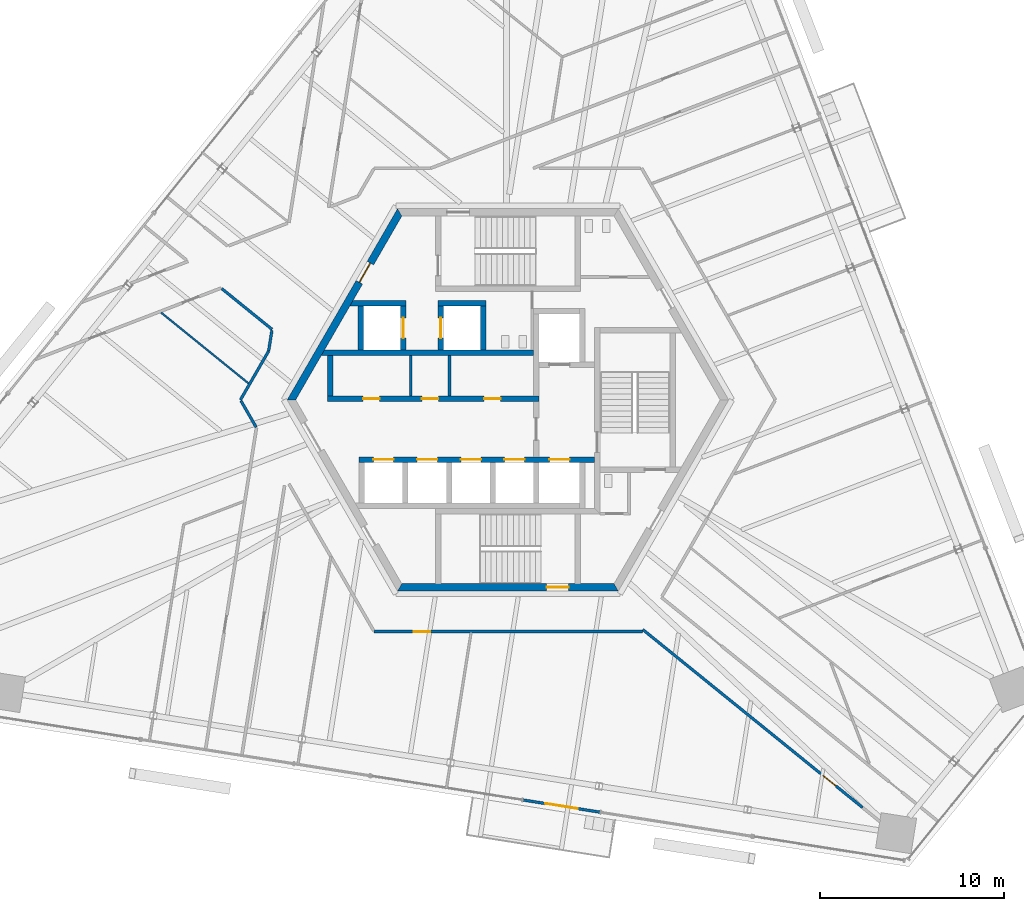
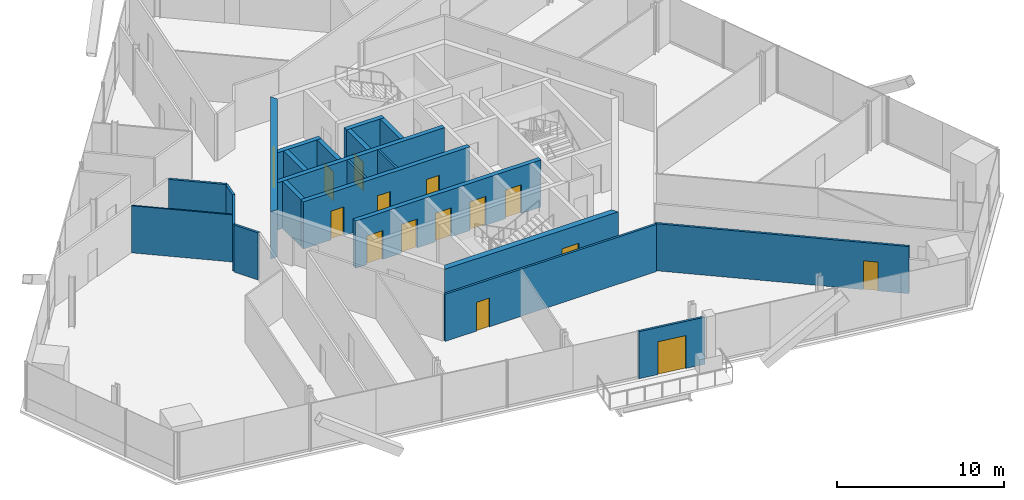
# One storey, part 12 of 19: 22 walls, 15 doors, 15 openings.
"""IFC4 building model written with IfcOpenShell, lengths in metres."""

from ifc_helpers import new_model, si_unit, direction, frame, frame_2d, origin, place, context, subcontext, project, spatial, polyline, rectangle, outline, extrude, source, transform, mapped, material, layer, layer_set, type_object, element, fill, save


model = new_model("IFC4")

# Units and contexts
model_context = context("Model", 3, precision=1e-05, world=origin(), true_north=direction((0.0, 1.0)))
body_context = subcontext(model_context, "Body", "Model", "MODEL_VIEW")
ifc_project = project(units=[si_unit("LENGTHUNIT", "METRE"), si_unit("AREAUNIT", "SQUARE_METRE"), si_unit("VOLUMEUNIT", "CUBIC_METRE"), si_unit("PLANEANGLEUNIT", "RADIAN"), si_unit("MASSUNIT", "GRAM", prefix="KILO")], contexts=[model_context])

# Site, building, storey
site_placement = place(None, origin())
site = spatial("IfcSite", under=ifc_project, at=site_placement, CompositionType="ELEMENT")
building_placement = place(site_placement, origin())
building = spatial("IfcBuilding", under=site, at=building_placement, Name="Triune Harvest Tower", CompositionType="ELEMENT")
storey_placement = place(building_placement, frame((0.0, 0.0, 164.10009765625)))
storey = spatial("IfcBuildingStorey", under=building, at=storey_placement, Name="L42", CompositionType="ELEMENT", Elevation=164.10009765625)

# Wall
ifc_material_1 = material(Name="Gypsum board on steel studs", Category="steel")
ifc_layer_1 = layer(ifc_material_1, 0.14990234375)
ifc_layer_set_1 = layer_set([ifc_layer_1], Name="Gypsum board on steel studs")
wall_type_1 = type_object("IfcWallType", Name="Fire Partition 150 mm", PredefinedType="PARTITIONING", material=ifc_layer_set_1)
wall_1_placement = place(storey_placement, frame((-15.552001953125, 6.04736328125, 0.0), z_axis=(0.0, 0.0, 1.0), x_axis=(0.777134872151, -0.629334084955, 0.0)))
element("IfcWall", 1, at=wall_1_placement, inside=storey, type_object=wall_type_1, Name="Partition L42 007", PredefinedType="PARTITIONING", context=body_context, shape_type="SweptSolid", body=[
    extrude(rectangle(XDim=3.51513671875, YDim=0.14990234375, at=frame_2d((1.757568359375, 0.0))), origin(), (0.0, 0.0, 1.0), 3.43994140625),
])

# Wall, opening, door
ifc_material_2 = material(Name="Concrete 70 MPa", Category="concrete")
ifc_layer_2 = layer(ifc_material_2, 0.39990234375)
ifc_layer_set_2 = layer_set([ifc_layer_2], Name="Concrete 70 MPa")
wall_type_2 = type_object("IfcWallType", Name="Core wall 400", PredefinedType="SHEAR", material=ifc_layer_set_2)
shared_shape_1 = source(origin(), body_context, "Body", "SweptSolid", [
    extrude(outline(polyline([(-0.115478515625, -0.199951171875), (11.884521484375, -0.199951171875), (11.653564453125, 0.199951171875), (0.115478515625, 0.199951171875), (-0.115478515625, -0.199951171875)])), origin(), (0.0, 0.0, 1.0), 3.43994140625),
])
wall_2_placement = place(storey_placement, frame((-5.884521484375, 10.1923828125, 0.0), z_axis=(0.0, 0.0, 1.0), x_axis=(-0.499996592174, -0.866027371285, 0.0)))
wall_2 = element("IfcWall", 2, at=wall_2_placement, inside=storey, type_object=wall_type_2, Name="Hexagon 2 wall", PredefinedType="SHEAR", context=body_context, shape_type="MappedRepresentation", body=[
    mapped(shared_shape_1, transform((0.0, 0.0, 0.0), scale=1.0)),
])
opening_1_placement = place(wall_2_placement, frame((3.1845703125, 0.0, 0.0)))
opening_1 = element("IfcOpeningElement", 3, at=opening_1_placement, cuts=wall_2, Name="Opening CD-SVP", PredefinedType="OPENING", context=body_context, shape_type="SweptSolid", body=[
    extrude(rectangle(XDim=1.199951171875, YDim=2.10009765625, at=frame_2d((0.60009765625, 1.050048828125))), frame((0.0, 0.2099609375, 0.0), z_axis=(0.0, -1.0, 0.0), x_axis=(1.0, 0.0, 0.0)), (0.0, 0.0, 1.0), 0.419921875),
])
ifc_material_3 = material(Name="Steel S235", Category="steel")
door_type_1 = type_object("IfcDoorType", Name="Service door 1200 FD120", OperationType="SINGLE_SWING_LEFT", PredefinedType="DOOR", material=ifc_material_3)
door_1_placement = place(opening_1_placement, frame((1.199951171875, 0.0, 0.0), z_axis=(0.0, 0.0, 1.0), x_axis=(-1.0, 0.0, 0.0)))
door_1 = element("IfcDoor", 4, at=door_1_placement, inside=storey, type_object=door_type_1, Name="Door CD-SVP", OperationType="SINGLE_SWING_RIGHT", OverallHeight=2.10009765625, OverallWidth=1.199951171875, PredefinedType="DOOR", context=body_context, shape_type="SweptSolid", body=[
    extrude(rectangle(XDim=1.199951171875, YDim=2.10009765625, at=frame_2d((0.60009765625, 1.050048828125))), frame((0.0, 0.02490234375, 0.0), z_axis=(0.0, -1.0, 0.0), x_axis=(1.0, 0.0, 0.0)), (0.0, 0.0, 1.0), 0.050048828125),
])
fill(opening_1, door_1)

wall_3_placement = place(storey_placement, frame((-5.884521484375, -10.1923828125, 0.0), z_axis=(0.0, 0.0, 1.0), x_axis=(1.0, 0.0, 0.0)))
wall_3 = element("IfcWall", 5, at=wall_3_placement, inside=storey, type_object=wall_type_2, Name="Hexagon 4 wall", PredefinedType="SHEAR", context=body_context, shape_type="MappedRepresentation", body=[
    mapped(shared_shape_1, transform((0.0, 0.0, 0.0), scale=1.0)),
])
opening_2_placement = place(wall_3_placement, frame((7.984619140625, 0.0, 0.0)))
opening_2 = element("IfcOpeningElement", 6, at=opening_2_placement, cuts=wall_3, Name="Opening CD-S2P", PredefinedType="OPENING", context=body_context, shape_type="SweptSolid", body=[
    extrude(rectangle(XDim=1.199951171875, YDim=2.10009765625, at=frame_2d((0.60009765625, 1.050048828125))), frame((0.0, 0.2099609375, 0.0), z_axis=(0.0, -1.0, 0.0), x_axis=(1.0, 0.0, 0.0)), (0.0, 0.0, 1.0), 0.419921875),
])
ifc_material_4 = material(Name="Steel S235", Category="steel")
door_type_2 = type_object("IfcDoorType", Name="Stair door 1200 FD120", OperationType="SINGLE_SWING_LEFT", PredefinedType="DOOR", material=ifc_material_4)
door_2_placement = place(opening_2_placement, frame((1.199951171875, 0.0, 0.0), z_axis=(0.0, 0.0, 1.0), x_axis=(-1.0, 0.0, 0.0)))
door_2 = element("IfcDoor", 7, at=door_2_placement, inside=storey, type_object=door_type_2, Name="Door CD-S2P", OperationType="SINGLE_SWING_RIGHT", OverallHeight=2.10009765625, OverallWidth=1.199951171875, PredefinedType="DOOR", context=body_context, shape_type="SweptSolid", body=[
    extrude(rectangle(XDim=1.199951171875, YDim=2.10009765625, at=frame_2d((0.60009765625, 1.050048828125))), frame((0.0, 0.02490234375, 0.0), z_axis=(0.0, -1.0, 0.0), x_axis=(1.0, 0.0, 0.0)), (0.0, 0.0, 1.0), 0.050048828125),
])
fill(opening_2, door_2)

# Wall, openings, doors
ifc_material_5 = material(Name="Concrete 70 MPa", Category="concrete")
ifc_layer_3 = layer(ifc_material_5, 0.300048828125)
ifc_layer_set_3 = layer_set([ifc_layer_3], Name="Concrete 70 MPa")
wall_type_3 = type_object("IfcWallType", Name="Core wall 300", PredefinedType="SHEAR", material=ifc_layer_set_3)
shared_shape_2 = source(origin(), body_context, "Body", "SweptSolid", [
    extrude(rectangle(XDim=11.5, YDim=0.300048828125, at=frame_2d((5.75, 0.0))), origin(), (0.0, 0.0, 1.0), 3.43994140625),
])
wall_4_placement = place(storey_placement, frame((-9.800048828125, 0.06005859375, 0.0), z_axis=(0.0, 0.0, 1.0), x_axis=(1.0, 0.0, 0.0)))
wall_4 = element("IfcWall", 8, at=wall_4_placement, inside=storey, type_object=wall_type_3, Name="North front wall", PredefinedType="SHEAR", context=body_context, shape_type="MappedRepresentation", body=[
    mapped(shared_shape_2, transform((0.0, 0.0, 0.0), scale=1.0)),
])
opening_3_placement = place(wall_4_placement, frame((1.922607421875, 0.0, 0.0)))
opening_3 = element("IfcOpeningElement", 9, at=opening_3_placement, cuts=wall_4, Name="Opening CD-RN1", PredefinedType="OPENING", context=body_context, shape_type="SweptSolid", body=[
    extrude(rectangle(XDim=0.89990234375, YDim=2.10009765625, at=frame_2d((0.449951171875, 1.050048828125))), frame((0.0, 0.16015625, 0.0), z_axis=(0.0, -1.0, 0.0), x_axis=(1.0, 0.0, 0.0)), (0.0, 0.0, 1.0), 0.320068359375),
])
opening_4_placement = place(wall_4_placement, frame((5.125, 0.0, 0.0)))
opening_4 = element("IfcOpeningElement", 10, at=opening_4_placement, cuts=wall_4, Name="Opening CD-RN2", PredefinedType="OPENING", context=body_context, shape_type="SweptSolid", body=[
    extrude(rectangle(XDim=0.89990234375, YDim=2.10009765625, at=frame_2d((0.449951171875, 1.050048828125))), frame((0.0, 0.16015625, 0.0), z_axis=(0.0, -1.0, 0.0), x_axis=(1.0, 0.0, 0.0)), (0.0, 0.0, 1.0), 0.320068359375),
])
opening_5_placement = place(wall_4_placement, frame((8.50244140625, 0.0, 0.0)))
opening_5 = element("IfcOpeningElement", 11, at=opening_5_placement, cuts=wall_4, Name="Opening CD-RN3", PredefinedType="OPENING", context=body_context, shape_type="SweptSolid", body=[
    extrude(rectangle(XDim=0.89990234375, YDim=2.10009765625, at=frame_2d((0.449951171875, 1.050048828125))), frame((0.0, 0.16015625, 0.0), z_axis=(0.0, -1.0, 0.0), x_axis=(1.0, 0.0, 0.0)), (0.0, 0.0, 1.0), 0.320068359375),
])
ifc_material_6 = material(Name="Steel S235", Category="steel")
door_type_3 = type_object("IfcDoorType", Name="Riser door 900 FD120", OperationType="SINGLE_SWING_LEFT", PredefinedType="DOOR", material=ifc_material_6)
door_3_placement = place(opening_3_placement, frame((0.89990234375, 0.0, 0.0), z_axis=(0.0, 0.0, 1.0), x_axis=(-1.0, 0.0, 0.0)))
door_3 = element("IfcDoor", 12, at=door_3_placement, inside=storey, type_object=door_type_3, Name="Door CD-RN1", OperationType="SINGLE_SWING_RIGHT", OverallHeight=2.10009765625, OverallWidth=0.89990234375, PredefinedType="DOOR", context=body_context, shape_type="SweptSolid", body=[
    extrude(rectangle(XDim=0.89990234375, YDim=2.10009765625, at=frame_2d((0.449951171875, 1.050048828125))), frame((0.0, 0.02490234375, 0.0), z_axis=(0.0, -1.0, 0.0), x_axis=(1.0, 0.0, 0.0)), (0.0, 0.0, 1.0), 0.050048828125),
])
fill(opening_3, door_3)
door_4_placement = place(opening_4_placement, frame((0.89990234375, 0.0, 0.0), z_axis=(0.0, 0.0, 1.0), x_axis=(-1.0, 0.0, 0.0)))
door_4 = element("IfcDoor", 13, at=door_4_placement, inside=storey, type_object=door_type_3, Name="Door CD-RN2", OperationType="SINGLE_SWING_RIGHT", OverallHeight=2.10009765625, OverallWidth=0.89990234375, PredefinedType="DOOR", context=body_context, shape_type="SweptSolid", body=[
    extrude(rectangle(XDim=0.89990234375, YDim=2.10009765625, at=frame_2d((0.449951171875, 1.050048828125))), frame((0.0, 0.02490234375, 0.0), z_axis=(0.0, -1.0, 0.0), x_axis=(1.0, 0.0, 0.0)), (0.0, 0.0, 1.0), 0.050048828125),
])
fill(opening_4, door_4)
door_5_placement = place(opening_5_placement, frame((0.89990234375, 0.0, 0.0), z_axis=(0.0, 0.0, 1.0), x_axis=(-1.0, 0.0, 0.0)))
door_5 = element("IfcDoor", 14, at=door_5_placement, inside=storey, type_object=door_type_3, Name="Door CD-RN3", OperationType="SINGLE_SWING_RIGHT", OverallHeight=2.10009765625, OverallWidth=0.89990234375, PredefinedType="DOOR", context=body_context, shape_type="SweptSolid", body=[
    extrude(rectangle(XDim=0.89990234375, YDim=2.10009765625, at=frame_2d((0.449951171875, 1.050048828125))), frame((0.0, 0.02490234375, 0.0), z_axis=(0.0, -1.0, 0.0), x_axis=(1.0, 0.0, 0.0)), (0.0, 0.0, 1.0), 0.050048828125),
])
fill(opening_5, door_5)

# Wall
shared_shape_3 = source(origin(), body_context, "Body", "SweptSolid", [
    extrude(outline(polyline([(11.199951171875, -0.14990234375), (-0.34912109375, -0.14990234375), (-0.17578125, 0.14990234375), (11.199951171875, 0.14990234375), (11.199951171875, -0.14990234375)])), origin(), (0.0, 0.0, 1.0), 3.43994140625),
])
wall_5_placement = place(storey_placement, frame((-9.800048828125, 2.56005859375, 0.0), z_axis=(0.0, 0.0, 1.0), x_axis=(1.0, 0.0, 0.0)))
element("IfcWall", 15, at=wall_5_placement, inside=storey, type_object=wall_type_3, Name="North back wall", PredefinedType="SHEAR", context=body_context, shape_type="MappedRepresentation", body=[
    mapped(shared_shape_3, transform((0.0, 0.0, 0.0), scale=1.0)),
])

# Wall, openings, doors
shared_shape_4 = source(origin(), body_context, "Body", "SweptSolid", [
    extrude(rectangle(XDim=12.800048828125, YDim=0.300048828125, at=frame_2d((6.39990234375, 0.0))), origin(), (0.0, 0.0, 1.0), 3.43994140625),
])
wall_6_placement = place(storey_placement, frame((-8.10009765625, -3.239990234375, 0.0), z_axis=(0.0, 0.0, 1.0), x_axis=(1.0, 0.0, 0.0)))
wall_6 = element("IfcWall", 16, at=wall_6_placement, inside=storey, type_object=wall_type_3, Name="South front wall", PredefinedType="SHEAR", context=body_context, shape_type="MappedRepresentation", body=[
    mapped(shared_shape_4, transform((0.0, 0.0, 0.0), scale=1.0)),
])
opening_6_placement = place(wall_6_placement, frame((0.78759765625, 0.0, 0.0)))
opening_6 = element("IfcOpeningElement", 17, at=opening_6_placement, cuts=wall_6, Name="Opening LD-HR1-42", PredefinedType="OPENING", context=body_context, shape_type="SweptSolid", body=[
    extrude(rectangle(XDim=1.10009765625, YDim=2.10009765625, at=frame_2d((0.550048828125, 1.050048828125))), frame((0.0, 0.16015625, 0.0), z_axis=(0.0, -1.0, 0.0), x_axis=(1.0, 0.0, 0.0)), (0.0, 0.0, 1.0), 0.320068359375),
])
opening_7_placement = place(wall_6_placement, frame((3.16259765625, 0.0, 0.0)))
opening_7 = element("IfcOpeningElement", 18, at=opening_7_placement, cuts=wall_6, Name="Opening LD-HR2-42", PredefinedType="OPENING", context=body_context, shape_type="SweptSolid", body=[
    extrude(rectangle(XDim=1.10009765625, YDim=2.10009765625, at=frame_2d((0.550048828125, 1.050048828125))), frame((0.0, 0.16015625, 0.0), z_axis=(0.0, -1.0, 0.0), x_axis=(1.0, 0.0, 0.0)), (0.0, 0.0, 1.0), 0.320068359375),
])
opening_8_placement = place(wall_6_placement, frame((5.53759765625, 0.0, 0.0)))
opening_8 = element("IfcOpeningElement", 19, at=opening_8_placement, cuts=wall_6, Name="Opening LD-HR3-42", PredefinedType="OPENING", context=body_context, shape_type="SweptSolid", body=[
    extrude(rectangle(XDim=1.10009765625, YDim=2.10009765625, at=frame_2d((0.550048828125, 1.050048828125))), frame((0.0, 0.16015625, 0.0), z_axis=(0.0, -1.0, 0.0), x_axis=(1.0, 0.0, 0.0)), (0.0, 0.0, 1.0), 0.320068359375),
])
opening_9_placement = place(wall_6_placement, frame((7.91259765625, 0.0, 0.0)))
opening_9 = element("IfcOpeningElement", 20, at=opening_9_placement, cuts=wall_6, Name="Opening LD-HR4-42", PredefinedType="OPENING", context=body_context, shape_type="SweptSolid", body=[
    extrude(rectangle(XDim=1.10009765625, YDim=2.10009765625, at=frame_2d((0.550048828125, 1.050048828125))), frame((0.0, 0.16015625, 0.0), z_axis=(0.0, -1.0, 0.0), x_axis=(1.0, 0.0, 0.0)), (0.0, 0.0, 1.0), 0.320068359375),
])
opening_10_placement = place(wall_6_placement, frame((10.35009765625, 0.0, 0.0)))
opening_10 = element("IfcOpeningElement", 21, at=opening_10_placement, cuts=wall_6, Name="Opening LD-FF2-42", PredefinedType="OPENING", context=body_context, shape_type="SweptSolid", body=[
    extrude(rectangle(XDim=1.10009765625, YDim=2.10009765625, at=frame_2d((0.550048828125, 1.050048828125))), frame((0.0, 0.16015625, 0.0), z_axis=(0.0, -1.0, 0.0), x_axis=(1.0, 0.0, 0.0)), (0.0, 0.0, 1.0), 0.320068359375),
])
ifc_material_7 = material(Name="Stainless steel AISI 304", Category="steel")
door_type_4 = type_object("IfcDoorType", Name="Landing door 1100 x 2100", OperationType="DOUBLE_DOOR_SLIDING", PredefinedType="DOOR", material=ifc_material_7)
door_6_placement = place(opening_6_placement, origin())
door_6 = element("IfcDoor", 22, at=door_6_placement, inside=storey, type_object=door_type_4, Name="Door LD-HR1-42", OperationType="DOUBLE_DOOR_SLIDING", OverallHeight=2.10009765625, OverallWidth=1.10009765625, PredefinedType="DOOR", context=body_context, shape_type="SweptSolid", body=[
    extrude(rectangle(XDim=1.10009765625, YDim=2.10009765625, at=frame_2d((0.550048828125, 1.050048828125))), frame((0.0, 0.02490234375, 0.0), z_axis=(0.0, -1.0, 0.0), x_axis=(1.0, 0.0, 0.0)), (0.0, 0.0, 1.0), 0.050048828125),
])
fill(opening_6, door_6)
door_7_placement = place(opening_7_placement, origin())
door_7 = element("IfcDoor", 23, at=door_7_placement, inside=storey, type_object=door_type_4, Name="Door LD-HR2-42", OperationType="DOUBLE_DOOR_SLIDING", OverallHeight=2.10009765625, OverallWidth=1.10009765625, PredefinedType="DOOR", context=body_context, shape_type="SweptSolid", body=[
    extrude(rectangle(XDim=1.10009765625, YDim=2.10009765625, at=frame_2d((0.550048828125, 1.050048828125))), frame((0.0, 0.02490234375, 0.0), z_axis=(0.0, -1.0, 0.0), x_axis=(1.0, 0.0, 0.0)), (0.0, 0.0, 1.0), 0.050048828125),
])
fill(opening_7, door_7)
door_8_placement = place(opening_8_placement, origin())
door_8 = element("IfcDoor", 24, at=door_8_placement, inside=storey, type_object=door_type_4, Name="Door LD-HR3-42", OperationType="DOUBLE_DOOR_SLIDING", OverallHeight=2.10009765625, OverallWidth=1.10009765625, PredefinedType="DOOR", context=body_context, shape_type="SweptSolid", body=[
    extrude(rectangle(XDim=1.10009765625, YDim=2.10009765625, at=frame_2d((0.550048828125, 1.050048828125))), frame((0.0, 0.02490234375, 0.0), z_axis=(0.0, -1.0, 0.0), x_axis=(1.0, 0.0, 0.0)), (0.0, 0.0, 1.0), 0.050048828125),
])
fill(opening_8, door_8)
door_9_placement = place(opening_9_placement, origin())
door_9 = element("IfcDoor", 25, at=door_9_placement, inside=storey, type_object=door_type_4, Name="Door LD-HR4-42", OperationType="DOUBLE_DOOR_SLIDING", OverallHeight=2.10009765625, OverallWidth=1.10009765625, PredefinedType="DOOR", context=body_context, shape_type="SweptSolid", body=[
    extrude(rectangle(XDim=1.10009765625, YDim=2.10009765625, at=frame_2d((0.550048828125, 1.050048828125))), frame((0.0, 0.02490234375, 0.0), z_axis=(0.0, -1.0, 0.0), x_axis=(1.0, 0.0, 0.0)), (0.0, 0.0, 1.0), 0.050048828125),
])
fill(opening_9, door_9)
door_10_placement = place(opening_10_placement, origin())
door_10 = element("IfcDoor", 26, at=door_10_placement, inside=storey, type_object=door_type_4, Name="Door LD-FF2-42", OperationType="DOUBLE_DOOR_SLIDING", OverallHeight=2.10009765625, OverallWidth=1.10009765625, PredefinedType="DOOR", context=body_context, shape_type="SweptSolid", body=[
    extrude(rectangle(XDim=1.10009765625, YDim=2.10009765625, at=frame_2d((0.550048828125, 1.050048828125))), frame((0.0, 0.02490234375, 0.0), z_axis=(0.0, -1.0, 0.0), x_axis=(1.0, 0.0, 0.0)), (0.0, 0.0, 1.0), 0.050048828125),
])
fill(opening_10, door_10)

# Walls
shared_shape_5 = source(origin(), body_context, "Body", "SweptSolid", [
    extrude(rectangle(XDim=2.199951171875, YDim=0.300048828125, at=frame_2d((1.10009765625, 0.0))), origin(), (0.0, 0.0, 1.0), 3.43994140625),
])
wall_7_placement = place(storey_placement, frame((-9.64990234375, 0.2099609375, 0.0), z_axis=(0.0, 0.0, 1.0), x_axis=(0.0, 1.0, 0.0)))
element("IfcWall", 27, at=wall_7_placement, inside=storey, type_object=wall_type_3, Name="North end west wall", PredefinedType="SHEAR", context=body_context, shape_type="MappedRepresentation", body=[
    mapped(shared_shape_5, transform((0.0, 0.0, 0.0), scale=1.0)),
])
shared_shape_6 = source(origin(), body_context, "Body", "SweptSolid", [
    extrude(outline(polyline([(2.60009765625, -0.14990234375), (-0.440185546875, -0.14990234375), (-0.26708984375, 0.14990234375), (2.60009765625, 0.14990234375), (2.60009765625, -0.14990234375)])), origin(), (0.0, 0.0, 1.0), 3.43994140625),
])
wall_8_placement = place(storey_placement, frame((-8.14990234375, 5.260009765625, 0.0), z_axis=(0.0, 0.0, 1.0), x_axis=(1.0, 0.0, 0.0)))
element("IfcWall", 28, at=wall_8_placement, inside=storey, type_object=wall_type_3, Name="Sv1 north wall", PredefinedType="SHEAR", context=body_context, shape_type="MappedRepresentation", body=[
    mapped(shared_shape_6, transform((0.0, 0.0, 0.0), scale=1.0)),
])
shared_shape_7 = source(origin(), body_context, "Body", "SweptSolid", [
    extrude(rectangle(XDim=2.400146484375, YDim=0.300048828125, at=frame_2d((1.2001953125, 0.0))), origin(), (0.0, 0.0, 1.0), 3.43994140625),
])
wall_9_placement = place(storey_placement, frame((-8.0, 2.7099609375, 0.0), z_axis=(0.0, 0.0, 1.0), x_axis=(0.0, 1.0, 0.0)))
element("IfcWall", 29, at=wall_9_placement, inside=storey, type_object=wall_type_3, Name="Sv1 west wall", PredefinedType="SHEAR", context=body_context, shape_type="MappedRepresentation", body=[
    mapped(shared_shape_7, transform((0.0, 0.0, 0.0), scale=1.0)),
])

# Wall, opening, door
wall_10_placement = place(storey_placement, frame((-5.699951171875, 2.7099609375, 0.0), z_axis=(0.0, 0.0, 1.0), x_axis=(0.0, 1.0, 0.0)))
wall_10 = element("IfcWall", 30, at=wall_10_placement, inside=storey, type_object=wall_type_3, Name="Sv1 east wall", PredefinedType="SHEAR", context=body_context, shape_type="MappedRepresentation", body=[
    mapped(shared_shape_7, transform((0.0, 0.0, 0.0), scale=1.0)),
])
opening_11_placement = place(wall_10_placement, frame((0.64990234375, 0.0, 0.0)))
opening_11 = element("IfcOpeningElement", 31, at=opening_11_placement, cuts=wall_10, Name="Opening LD-SV1-42", PredefinedType="OPENING", context=body_context, shape_type="SweptSolid", body=[
    extrude(rectangle(XDim=1.10009765625, YDim=2.10009765625, at=frame_2d((0.550048828125, 1.050048828125))), frame((0.0, 0.16015625, 0.0), z_axis=(0.0, -1.0, 0.0), x_axis=(1.0, 0.0, 0.0)), (0.0, 0.0, 1.0), 0.320068359375),
])
door_11_placement = place(opening_11_placement, origin())
door_11 = element("IfcDoor", 32, at=door_11_placement, inside=storey, type_object=door_type_4, Name="Door LD-SV1-42", OperationType="DOUBLE_DOOR_SLIDING", OverallHeight=2.10009765625, OverallWidth=1.10009765625, PredefinedType="DOOR", context=body_context, shape_type="SweptSolid", body=[
    extrude(rectangle(XDim=1.10009765625, YDim=2.10009765625, at=frame_2d((0.550048828125, 1.050048828125))), frame((0.0, 0.02490234375, 0.0), z_axis=(0.0, -1.0, 0.0), x_axis=(1.0, 0.0, 0.0)), (0.0, 0.0, 1.0), 0.050048828125),
])
fill(opening_11, door_11)

wall_11_placement = place(storey_placement, frame((-3.64990234375, 2.7099609375, 0.0), z_axis=(0.0, 0.0, 1.0), x_axis=(0.0, 1.0, 0.0)))
wall_11 = element("IfcWall", 33, at=wall_11_placement, inside=storey, type_object=wall_type_3, Name="Sv2 west wall", PredefinedType="SHEAR", context=body_context, shape_type="MappedRepresentation", body=[
    mapped(shared_shape_7, transform((0.0, 0.0, 0.0), scale=1.0)),
])
opening_12_placement = place(wall_11_placement, frame((0.64990234375, 0.0, 0.0)))
opening_12 = element("IfcOpeningElement", 34, at=opening_12_placement, cuts=wall_11, Name="Opening LD-SV2-42", PredefinedType="OPENING", context=body_context, shape_type="SweptSolid", body=[
    extrude(rectangle(XDim=1.10009765625, YDim=2.10009765625, at=frame_2d((0.550048828125, 1.050048828125))), frame((0.0, 0.16015625, 0.0), z_axis=(0.0, -1.0, 0.0), x_axis=(1.0, 0.0, 0.0)), (0.0, 0.0, 1.0), 0.320068359375),
])
door_12_placement = place(opening_12_placement, origin())
door_12 = element("IfcDoor", 35, at=door_12_placement, inside=storey, type_object=door_type_4, Name="Door LD-SV2-42", OperationType="DOUBLE_DOOR_SLIDING", OverallHeight=2.10009765625, OverallWidth=1.10009765625, PredefinedType="DOOR", context=body_context, shape_type="SweptSolid", body=[
    extrude(rectangle(XDim=1.10009765625, YDim=2.10009765625, at=frame_2d((0.550048828125, 1.050048828125))), frame((0.0, 0.02490234375, 0.0), z_axis=(0.0, -1.0, 0.0), x_axis=(1.0, 0.0, 0.0)), (0.0, 0.0, 1.0), 0.050048828125),
])
fill(opening_12, door_12)

# Walls
wall_12_placement = place(storey_placement, frame((-1.35009765625, 2.7099609375, 0.0), z_axis=(0.0, 0.0, 1.0), x_axis=(0.0, 1.0, 0.0)))
element("IfcWall", 36, at=wall_12_placement, inside=storey, type_object=wall_type_3, Name="Sv2 east wall", PredefinedType="SHEAR", context=body_context, shape_type="MappedRepresentation", body=[
    mapped(shared_shape_7, transform((0.0, 0.0, 0.0), scale=1.0)),
])
shared_shape_8 = source(origin(), body_context, "Body", "SweptSolid", [
    extrude(rectangle(XDim=2.60009765625, YDim=0.300048828125, at=frame_2d((1.300048828125, 0.0))), origin(), (0.0, 0.0, 1.0), 3.43994140625),
])
wall_13_placement = place(storey_placement, frame((-3.800048828125, 5.260009765625, 0.0), z_axis=(0.0, 0.0, 1.0), x_axis=(1.0, 0.0, 0.0)))
element("IfcWall", 37, at=wall_13_placement, inside=storey, type_object=wall_type_3, Name="Sv2 north wall", PredefinedType="SHEAR", context=body_context, shape_type="MappedRepresentation", body=[
    mapped(shared_shape_8, transform((0.0, 0.0, 0.0), scale=1.0)),
])
ifc_material_8 = material(Name="Concrete masonry unit", Category="masonry")
ifc_layer_4 = layer(ifc_material_8, 0.14990234375)
ifc_layer_set_4 = layer_set([ifc_layer_4], Name="Concrete masonry unit")
wall_type_4 = type_object("IfcWallType", Name="Block partition 150", PredefinedType="PARTITIONING", material=ifc_layer_set_4)
shared_shape_9 = source(origin(), body_context, "Body", "SweptSolid", [
    extrude(rectangle(XDim=2.199951171875, YDim=0.14990234375, at=frame_2d((1.10009765625, 0.0))), origin(), (0.0, 0.0, 1.0), 3.43994140625),
])
for number, where, z_axis, x_axis, name in (
    (38, (-5.280029296875, 0.2099609375, 0.0), (0.0, 0.0, 1.0), (0.0, 1.0, 0.0), "Row n part 1 wall"),
    (39, (-3.169921875, 0.2099609375, 0.0), (0.0, 0.0, 1.0), (0.0, 1.0, 0.0), "Row n part 2 wall"),
):
    element("IfcWall", number, at=place(storey_placement, frame(where, z_axis=z_axis, x_axis=x_axis)), inside=storey, type_object=wall_type_4, Name=name, PredefinedType="PARTITIONING", context=body_context, shape_type="MappedRepresentation", body=[
        mapped(shared_shape_9, transform((0.0, 0.0, 0.0), scale=1.0)),
    ])

# Wall, opening, door
ifc_material_9 = material(Name="Aluminium bronze anodised", Category="aluminium")
ifc_layer_5 = layer(ifc_material_9, 0.14990234375)
ifc_layer_set_5 = layer_set([ifc_layer_5], Name="Aluminium bronze anodised")
wall_type_5 = type_object("IfcWallType", Name="WW-2 balcony window wall", PredefinedType="ELEMENTEDWALL", material=ifc_layer_set_5)
shared_shape_10 = source(origin(), body_context, "Body", "SweptSolid", [
    extrude(rectangle(XDim=4.22119140625, YDim=0.14990234375, at=frame_2d((2.110595703125, 0.0))), origin(), (0.0, 0.0, 1.0), 3.43994140625),
])
wall_14_placement = place(storey_placement, frame((4.998291015625, -22.408447265625, 0.0), z_axis=(0.0, 0.0, 1.0), x_axis=(-0.987685937385, 0.156449637561, 0.0)))
wall_14 = element("IfcWall", 40, at=wall_14_placement, inside=storey, type_object=wall_type_5, Name="WW-2 B4-F5 L42.8", PredefinedType="ELEMENTEDWALL", context=body_context, shape_type="MappedRepresentation", body=[
    mapped(shared_shape_10, transform((0.0, 0.0, 0.0), scale=1.0)),
])
opening_13_placement = place(wall_14_placement, frame((1.21044921875, 0.0, 0.0)))
opening_13 = element("IfcOpeningElement", 41, at=opening_13_placement, cuts=wall_14, Name="Opening L42-E02", PredefinedType="OPENING", context=body_context, shape_type="SweptSolid", body=[
    extrude(rectangle(XDim=1.800048828125, YDim=2.39990234375, at=frame_2d((0.89990234375, 1.199951171875))), frame((0.0, 0.0849609375, 0.0), z_axis=(0.0, -1.0, 0.0), x_axis=(1.0, 0.0, 0.0)), (0.0, 0.0, 1.0), 0.169921875),
])
ifc_material_10 = material(Name="Glass", Category="glass")
door_type_5 = type_object("IfcDoorType", Name="DB-1 balcony door 1800 x 2400", OperationType="DOUBLE_DOOR_SINGLE_SWING", PredefinedType="DOOR", material=ifc_material_10)
door_13_placement = place(opening_13_placement, origin())
door_13 = element("IfcDoor", 42, at=door_13_placement, inside=storey, type_object=door_type_5, Name="Door L42-E02", OperationType="DOUBLE_DOOR_SINGLE_SWING", OverallHeight=2.39990234375, OverallWidth=1.800048828125, PredefinedType="DOOR", context=body_context, shape_type="SweptSolid", body=[
    extrude(rectangle(XDim=1.800048828125, YDim=2.39990234375, at=frame_2d((0.89990234375, 1.199951171875))), frame((0.0, 0.02490234375, 0.0), z_axis=(0.0, -1.0, 0.0), x_axis=(1.0, 0.0, 0.0)), (0.0, 0.0, 1.0), 0.050048828125),
])
fill(opening_13, door_13)

# Walls
shared_shape_11 = source(origin(), body_context, "Body", "SweptSolid", [
    extrude(rectangle(XDim=1.666015625, YDim=0.14990234375, at=frame_2d((0.8330078125, 0.0))), origin(), (0.0, 0.0, 1.0), 3.43994140625),
])
wall_15_placement = place(storey_placement, frame((-14.515380859375, -0.043212890625, 0.0), z_axis=(0.0, 0.0, 1.0), x_axis=(0.499984603534, -0.866034292756, 0.0)))
element("IfcWall", 43, at=wall_15_placement, inside=storey, type_object=wall_type_1, Name="Partition L42 002", PredefinedType="PARTITIONING", context=body_context, shape_type="MappedRepresentation", body=[
    mapped(shared_shape_11, transform((0.0, 0.0, 0.0), scale=1.0)),
])
ifc_material_11 = material(Name="Gypsum board on steel studs", Category="steel")
ifc_layer_6 = layer(ifc_material_11, 0.10009765625)
ifc_layer_set_6 = layer_set([ifc_layer_6], Name="Gypsum board on steel studs")
wall_type_6 = type_object("IfcWallType", Name="Partition 100 mm", PredefinedType="PARTITIONING", material=ifc_layer_set_6)
shared_shape_12 = source(origin(), body_context, "Body", "SweptSolid", [
    extrude(rectangle(XDim=6.180419921875, YDim=0.10009765625, at=frame_2d((3.09033203125, 0.0))), origin(), (0.0, 0.0, 1.0), 3.43994140625),
])
wall_16_placement = place(storey_placement, frame((-18.849609375, 4.74462890625, 0.0), z_axis=(0.0, 0.0, 1.0), x_axis=(0.777159312265, -0.629303903817, 0.0)))
element("IfcWall", 44, at=wall_16_placement, inside=storey, type_object=wall_type_6, Name="Partition L42 005", PredefinedType="PARTITIONING", context=body_context, shape_type="MappedRepresentation", body=[
    mapped(shared_shape_12, transform((0.0, 0.0, 0.0), scale=1.0)),
])

# Wall, opening, door
shared_shape_13 = source(origin(), body_context, "Body", "SweptSolid", [
    extrude(rectangle(XDim=15.3701171875, YDim=0.14990234375, at=frame_2d((7.68505859375, 0.0))), origin(), (0.0, 0.0, 1.0), 3.43994140625),
])
wall_17_placement = place(storey_placement, frame((7.33251953125, -12.484130859375, 0.0), z_axis=(0.0, 0.0, 1.0), x_axis=(0.777156086686, -0.629307887228, 0.0)))
wall_17 = element("IfcWall", 45, at=wall_17_placement, inside=storey, type_object=wall_type_1, Name="Partition L42 008", PredefinedType="PARTITIONING", context=body_context, shape_type="MappedRepresentation", body=[
    mapped(shared_shape_13, transform((0.0, 0.0, 0.0), scale=1.0)),
])
opening_14_placement = place(wall_17_placement, frame((12.611572265625, 0.0, 0.0)))
opening_14 = element("IfcOpeningElement", 46, at=opening_14_placement, cuts=wall_17, Name="Opening L42-018", PredefinedType="OPENING", context=body_context, shape_type="SweptSolid", body=[
    extrude(rectangle(XDim=0.89990234375, YDim=2.10009765625, at=frame_2d((0.449951171875, 1.050048828125))), frame((0.0, 0.0849609375, 0.0), z_axis=(0.0, -1.0, 0.0), x_axis=(1.0, 0.0, 0.0)), (0.0, 0.0, 1.0), 0.169921875),
])
ifc_material_12 = material(Name="Timber and steel door set", Category="steel")
door_type_6 = type_object("IfcDoorType", Name="Single leaf door FD30 left hand 900 x 2100", OperationType="SINGLE_SWING_LEFT", PredefinedType="DOOR", material=ifc_material_12)
door_14_placement = place(opening_14_placement, origin())
door_14 = element("IfcDoor", 47, at=door_14_placement, inside=storey, type_object=door_type_6, Name="Door L42-018 Open Office 42.18", OperationType="SINGLE_SWING_LEFT", OverallHeight=2.10009765625, OverallWidth=0.89990234375, PredefinedType="DOOR", context=body_context, shape_type="SweptSolid", body=[
    extrude(rectangle(XDim=0.89990234375, YDim=2.10009765625, at=frame_2d((0.449951171875, 1.050048828125))), frame((0.0, 0.02490234375, 0.0), z_axis=(0.0, -1.0, 0.0), x_axis=(1.0, 0.0, 0.0)), (0.0, 0.0, 1.0), 0.050048828125),
])
fill(opening_14, door_14)

shared_shape_14 = source(origin(), body_context, "Body", "SweptSolid", [
    extrude(rectangle(XDim=14.576416015625, YDim=0.14990234375, at=frame_2d((7.2880859375, 0.0))), origin(), (0.0, 0.0, 1.0), 3.43994140625),
])
wall_18_placement = place(storey_placement, frame((-7.270263671875, -12.59228515625, 0.0), z_axis=(0.0, 0.0, 1.0), x_axis=(1.0, 0.0, 0.0)))
wall_18 = element("IfcWall", 48, at=wall_18_placement, inside=storey, type_object=wall_type_1, Name="Partition L42 018", PredefinedType="PARTITIONING", context=body_context, shape_type="MappedRepresentation", body=[
    mapped(shared_shape_14, transform((0.0, 0.0, 0.0), scale=1.0)),
])
opening_15_placement = place(wall_18_placement, frame((2.14990234375, 0.0, 0.0)))
opening_15 = element("IfcOpeningElement", 49, at=opening_15_placement, cuts=wall_18, Name="Opening L42-017", PredefinedType="OPENING", context=body_context, shape_type="SweptSolid", body=[
    extrude(rectangle(XDim=0.89990234375, YDim=2.10009765625, at=frame_2d((0.449951171875, 1.050048828125))), frame((0.0, 0.0849609375, 0.0), z_axis=(0.0, -1.0, 0.0), x_axis=(1.0, 0.0, 0.0)), (0.0, 0.0, 1.0), 0.169921875),
])
ifc_material_13 = material(Name="Timber and steel door set", Category="steel")
door_type_7 = type_object("IfcDoorType", Name="Single leaf door FD30 right hand 900 x 2100", OperationType="SINGLE_SWING_RIGHT", PredefinedType="DOOR", material=ifc_material_13)
door_15_placement = place(opening_15_placement, origin())
door_15 = element("IfcDoor", 50, at=door_15_placement, inside=storey, type_object=door_type_7, Name="Door L42-017 Project Room 42.17", OperationType="SINGLE_SWING_RIGHT", OverallHeight=2.10009765625, OverallWidth=0.89990234375, PredefinedType="DOOR", context=body_context, shape_type="SweptSolid", body=[
    extrude(rectangle(XDim=0.89990234375, YDim=2.10009765625, at=frame_2d((0.449951171875, 1.050048828125))), frame((0.0, 0.02490234375, 0.0), z_axis=(0.0, -1.0, 0.0), x_axis=(1.0, 0.0, 0.0)), (0.0, 0.0, 1.0), 0.050048828125),
])
fill(opening_15, door_15)

# Walls
shared_shape_15 = source(origin(), body_context, "Body", "SweptSolid", [
    extrude(rectangle(XDim=3.06640625, YDim=0.14990234375, at=frame_2d((1.533203125, 0.0))), origin(), (0.0, 0.0, 1.0), 3.43994140625),
])
wall_19_placement = place(storey_placement, frame((-14.540283203125, 0.0, 0.0), z_axis=(0.0, 0.0, 1.0), x_axis=(0.500009621294, 0.866019848856, 0.0)))
element("IfcWall", 51, at=wall_19_placement, inside=storey, type_object=wall_type_1, Name="Partition L42 041", PredefinedType="PARTITIONING", context=body_context, shape_type="MappedRepresentation", body=[
    mapped(shared_shape_15, transform((0.0, 0.0, 0.0), scale=1.0)),
])
shared_shape_16 = source(origin(), body_context, "Body", "SweptSolid", [
    extrude(rectangle(XDim=1.134521484375, YDim=0.14990234375, at=frame_2d((0.5673828125, 0.0))), origin(), (0.0, 0.0, 1.0), 3.43994140625),
])
wall_20_placement = place(storey_placement, frame((-13.005615234375, 2.665283203125, 0.0), z_axis=(0.0, 0.0, 1.0), x_axis=(0.156437701725, 0.987687827949, 0.0)))
element("IfcWall", 52, at=wall_20_placement, inside=storey, type_object=wall_type_1, Name="Partition L42 051", PredefinedType="PARTITIONING", context=body_context, shape_type="MappedRepresentation", body=[
    mapped(shared_shape_16, transform((0.0, 0.0, 0.0), scale=1.0)),
])

save(model, "model.ifc")
